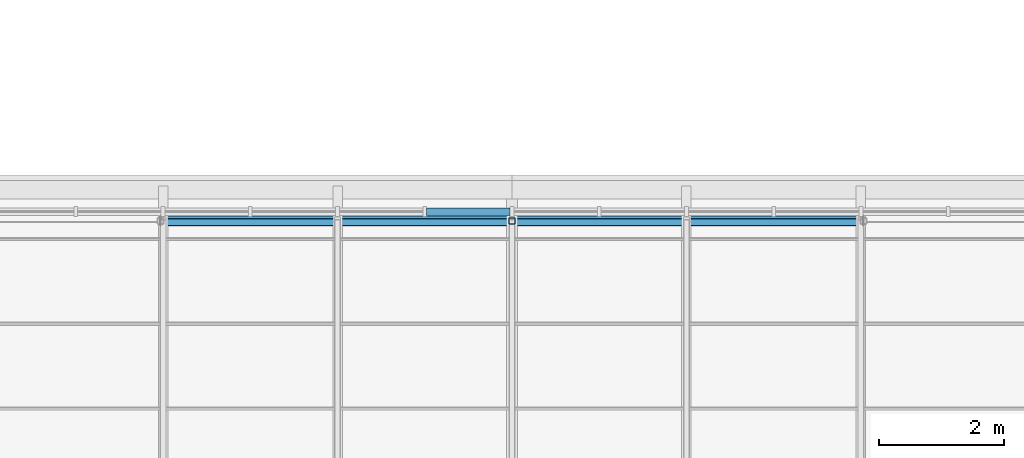
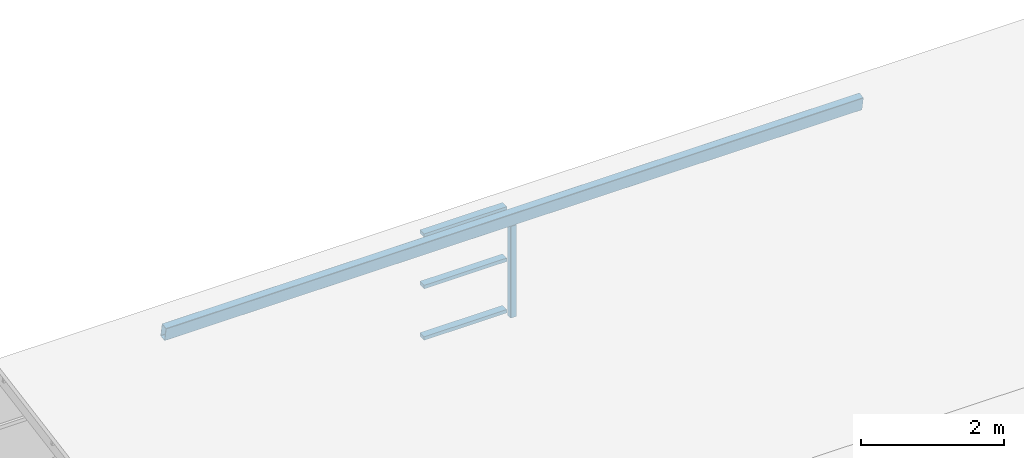
# One storey, part 14 of 42: 4 members, 1 beam, 1 element without a shape of its own.
"""IFC4 building model written with IfcOpenShell, lengths in metres."""

from ifc_helpers import new_model, si_unit, direction, frame, origin, origin_2d, place, context, subcontext, project, spatial, rectangle, hollow_rectangle, extrude, material, layer, layer_set, material_profile, profile_set, type_object, element, aggregate, save


model = new_model("IFC4")

# Units and contexts
model_context = context("Model", 3, precision=1e-05, world=origin(), true_north=direction((0.0, 1.0)))
body_context = subcontext(model_context, "Body", "Model", "MODEL_VIEW")
ifc_project = project(units=[si_unit("LENGTHUNIT", "METRE"), si_unit("AREAUNIT", "SQUARE_METRE"), si_unit("VOLUMEUNIT", "CUBIC_METRE"), si_unit("PLANEANGLEUNIT", "RADIAN"), si_unit("MASSUNIT", "GRAM", prefix="KILO")], contexts=[model_context])

# Site, building, storey
site_placement = place(None, origin())
site = spatial("IfcSite", under=ifc_project, at=site_placement, CompositionType="ELEMENT")
building_placement = place(site_placement, origin())
building = spatial("IfcBuilding", under=site, at=building_placement, Name="Ardhachandra Cancer Care Centre", CompositionType="ELEMENT")
storey_placement = place(building_placement, frame((0.0, 0.0, 22.5)))
storey = spatial("IfcBuildingStorey", under=building, at=storey_placement, Name="L05", CompositionType="ELEMENT", Elevation=22.5)

# Curtain wall, members
ifc_material_1 = material(Name="Aluminium extrusion", Category="aluminium")
ifc_layer = layer(ifc_material_1, 0.14990234375)
ifc_layer_set = layer_set([ifc_layer], Name="Aluminium extrusion")
curtain_wall_type = type_object("IfcCurtainWallType", Name="Curtain wall run", PredefinedType="NOTDEFINED", material=ifc_layer_set)
curtain_wall_placement = place(storey_placement, origin())
curtain_wall = element("IfcCurtainWall", 1, at=curtain_wall_placement, inside=storey, type_object=curtain_wall_type, Name="Curtain wall L05 n/0019200_0096100", PredefinedType="NOTDEFINED")
ifc_material_2 = material(Name="Aluminium extrusion", Category="aluminium")
ifc_material_profile_1 = material_profile(ifc_material_2, rectangle(XDim=0.1201171875, YDim=0.06005859375, at=origin_2d()), Name="Curtain wall transom 60 x 120")
ifc_profile_set_1 = profile_set([ifc_material_profile_1], Name="Aluminium extrusion")
member_type_1 = type_object("IfcMemberType", Name="Curtain wall transom 60 x 120", PredefinedType="USERDEFINED", material=ifc_profile_set_1)
member_1_placement = place(storey_placement, frame((26.22998046875, 96.10009765625, 0.030029296875), z_axis=(1.0, 0.0, 0.0), x_axis=(0.0, 1.0, 0.0)))
member_1 = element("IfcMember", 2, at=member_1_placement, type_object=member_type_1, Name="CW transom 6.1", ObjectType="TRANSOM", PredefinedType="USERDEFINED", context=body_context, shape_type="SweptSolid", body=[
    extrude(rectangle(XDim=0.1201171875, YDim=0.06005859375, at=origin_2d()), origin(), (0.0, 0.0, 1.0), 1.340087890625),
])
member_2_placement = place(storey_placement, frame((26.22998046875, 96.10009765625, 0.909912109375), z_axis=(1.0, 0.0, 0.0), x_axis=(0.0, 1.0, 0.0)))
member_2 = element("IfcMember", 3, at=member_2_placement, type_object=member_type_1, Name="CW transom 6.2", ObjectType="TRANSOM", PredefinedType="USERDEFINED", context=body_context, shape_type="SweptSolid", body=[
    extrude(rectangle(XDim=0.1201171875, YDim=0.06005859375, at=origin_2d()), origin(), (0.0, 0.0, 1.0), 1.340087890625),
])
member_3_placement = place(storey_placement, frame((26.22998046875, 96.10009765625, 1.7900390625), z_axis=(1.0, 0.0, 0.0), x_axis=(0.0, 1.0, 0.0)))
member_3 = element("IfcMember", 4, at=member_3_placement, type_object=member_type_1, Name="CW transom 6.3", ObjectType="TRANSOM", PredefinedType="USERDEFINED", context=body_context, shape_type="SweptSolid", body=[
    extrude(rectangle(XDim=0.1201171875, YDim=0.06005859375, at=origin_2d()), origin(), (0.0, 0.0, 1.0), 1.340087890625),
])
aggregate(curtain_wall, [member_1, member_2, member_3])

# Beam
ifc_material_3 = material(Name="Steel E350 (IS 2062)", Category="steel")
ifc_material_profile_2 = material_profile(ifc_material_3, hollow_rectangle(XDim=0.1201171875, YDim=0.239990234375, WallThickness=0.006103515625, InnerFilletRadius=0.006103515625, OuterFilletRadius=0.011962890625, at=origin_2d()), Name="RHS 240x120x6.0")
ifc_profile_set_2 = profile_set([ifc_material_profile_2], Name="Steel E350 (IS 2062)")
beam_type = type_object("IfcBeamType", Name="Sawtooth ridge beam RHS 240x120x6.0", PredefinedType="BEAM", material=ifc_profile_set_2)
beam_placement = place(storey_placement, frame((21.9599609375, 95.949951171875, 1.689208984375), z_axis=(1.0, 0.0, 0.0), x_axis=(0.0, 0.984460447526, 0.175606455623)))
element("IfcBeam", 5, at=beam_placement, inside=storey, type_object=beam_type, Name="Ridge beam NT3a", PredefinedType="BEAM", context=body_context, shape_type="SweptSolid", body=[
    extrude(hollow_rectangle(XDim=0.1201171875, YDim=0.239990234375, WallThickness=0.006103515625, InnerFilletRadius=0.006103515625, OuterFilletRadius=0.011962890625, at=origin_2d()), origin(), (0.0, 0.0, 1.0), 11.280029296875),
])

# Member
ifc_material_4 = material(Name="Steel E350 (IS 2062)", Category="steel")
ifc_material_profile_3 = material_profile(ifc_material_4, hollow_rectangle(XDim=0.10009765625, YDim=0.10009765625, WallThickness=0.0048828125, InnerFilletRadius=0.0048828125, OuterFilletRadius=0.010009765625, at=origin_2d()), Name="SHS 100x100x5.0")
ifc_profile_set_3 = profile_set([ifc_material_profile_3], Name="Steel E350 (IS 2062)")
member_type_2 = type_object("IfcMemberType", Name="Sawtooth ridge post SHS 100x100x5.0", PredefinedType="POST", material=ifc_profile_set_3)
member_4_placement = place(storey_placement, frame((27.60009765625, 95.949951171875, 0.0), z_axis=(0.0, 0.0, 1.0), x_axis=(1.0, 0.0, 0.0)))
element("IfcMember", 6, at=member_4_placement, inside=storey, type_object=member_type_2, Name="Ridge post NT3a.2", PredefinedType="POST", context=body_context, shape_type="SweptSolid", body=[
    extrude(hollow_rectangle(XDim=0.10009765625, YDim=0.10009765625, WallThickness=0.0048828125, InnerFilletRadius=0.0048828125, OuterFilletRadius=0.010009765625, at=origin_2d()), origin(), (0.0, 0.0, 1.0), 1.569091796875),
])

save(model, "model.ifc")
